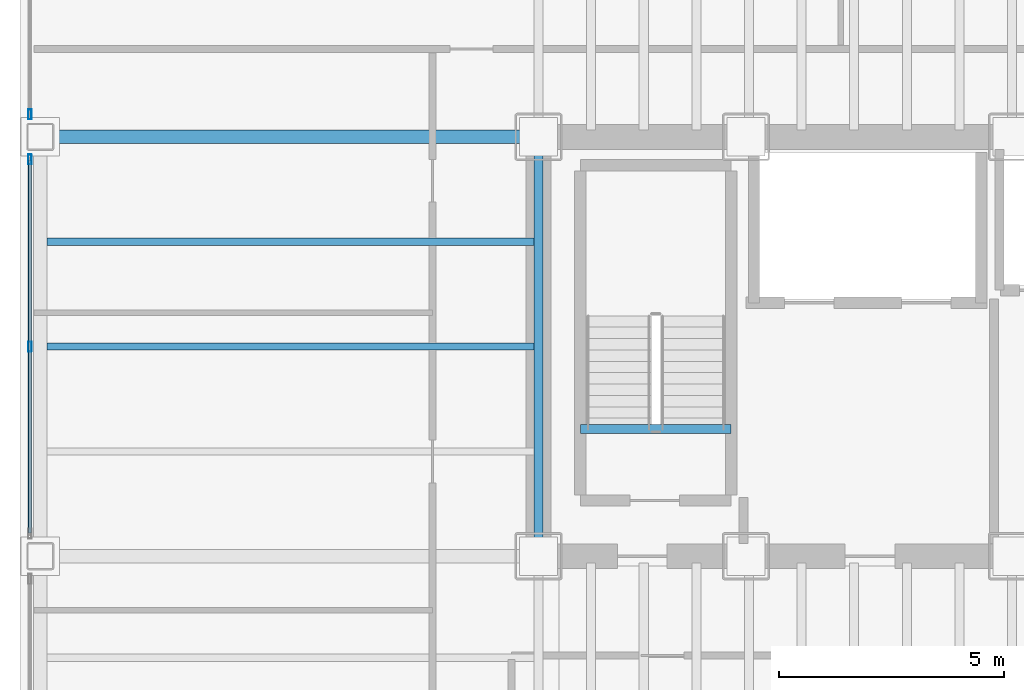
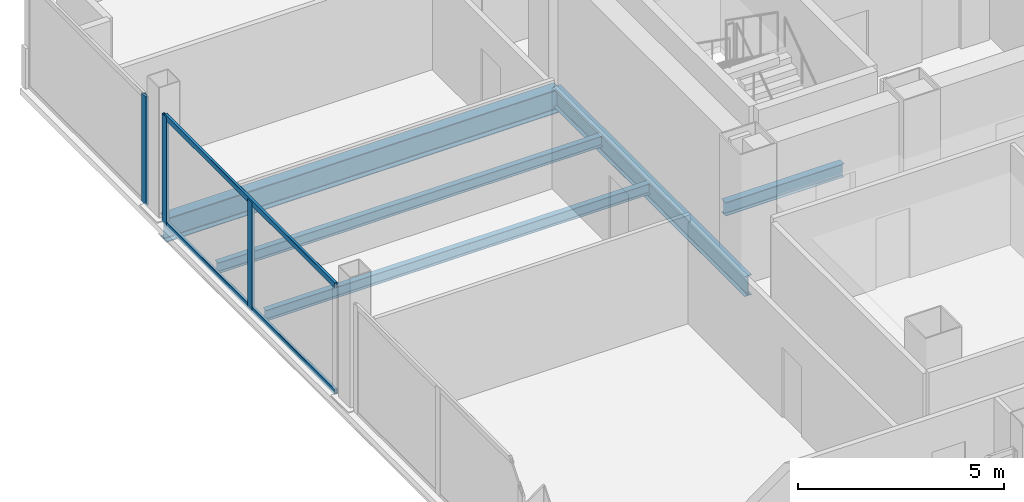
# One storey, part 6 of 21: 5 beams, 5 members, 2 elements without a shape of their own.
"""IFC4 building model written with IfcOpenShell, lengths in metres."""

from ifc_helpers import new_model, si_unit, direction, frame, origin, origin_2d, place, context, subcontext, project, spatial, hollow_rectangle, i_section, extrude, material, material_profile, profile_set, type_object, element, aggregate, save


model = new_model("IFC4")

# Units and contexts
model_context = context("Model", 3, precision=1e-05, world=origin(), true_north=direction((0.0, 1.0)))
body_context = subcontext(model_context, "Body", "Model", "MODEL_VIEW")
ifc_project = project(units=[si_unit("LENGTHUNIT", "METRE"), si_unit("AREAUNIT", "SQUARE_METRE"), si_unit("VOLUMEUNIT", "CUBIC_METRE"), si_unit("PLANEANGLEUNIT", "RADIAN"), si_unit("MASSUNIT", "GRAM", prefix="KILO")], contexts=[model_context])

# Site, building, storey
site_placement = place(None, origin())
site = spatial("IfcSite", under=ifc_project, at=site_placement, CompositionType="ELEMENT")
building_placement = place(site_placement, origin())
building = spatial("IfcBuilding", under=site, at=building_placement, Name="Noeulbin Bourse Tower", CompositionType="ELEMENT")
storey_placement = place(building_placement, frame((0.0, 0.0, 34.300048828125)))
storey = spatial("IfcBuildingStorey", under=building, at=storey_placement, Name="L08", CompositionType="ELEMENT", Elevation=34.300048828125)

# Beams
ifc_material_1 = material(Name="Steel S355", Category="steel")
ifc_material_profile_1 = material_profile(ifc_material_1, i_section(OverallWidth=0.199951171875, OverallDepth=0.60009765625, WebThickness=0.010986328125, FlangeThickness=0.01708984375, FilletRadius=0.02197265625, at=origin_2d()), Name="H-600x200x11x17", Category="LoadBearing")
ifc_profile_set_1 = profile_set([ifc_material_profile_1], Name="Steel S355")
beam_type_1 = type_object("IfcBeamType", Name="BM-GRD-600", PredefinedType="USERDEFINED", material=ifc_profile_set_1)
beam_1_placement = place(storey_placement, frame((13.5, 29.0, -0.47998046875), z_axis=(0.0, 1.0, 0.0), x_axis=(-1.0, 0.0, 0.0)))
element("IfcBeam", 1, at=beam_1_placement, inside=storey, type_object=beam_type_1, Name="Tower Primary Girder NS L08-1.3", ObjectType="GIRDER", PredefinedType="USERDEFINED", context=body_context, shape_type="SweptSolid", body=[
    extrude(i_section(OverallWidth=0.199951171875, OverallDepth=0.60009765625, WebThickness=0.010986328125, FlangeThickness=0.01708984375, FilletRadius=0.02197265625, at=origin_2d()), origin(), (0.0, 0.0, 1.0), 9.300048828125),
])
ifc_material_profile_2 = material_profile(ifc_material_1, i_section(OverallWidth=0.300048828125, OverallDepth=0.699951171875, WebThickness=0.012939453125, FlangeThickness=0.02392578125, FilletRadius=0.02392578125, at=origin_2d()), Name="H-700x300x13x24", Category="LoadBearing")
ifc_profile_set_2 = profile_set([ifc_material_profile_2], Name="Steel S355")
beam_type_2 = type_object("IfcBeamType", Name="BM-GRD-700", PredefinedType="USERDEFINED", material=ifc_profile_set_2)
beam_2_placement = place(storey_placement, frame((2.449951171875, 38.300048828125, -0.530029296875), z_axis=(1.0, 0.0, 0.0), x_axis=(0.0, 1.0, 0.0)))
element("IfcBeam", 2, at=beam_2_placement, inside=storey, type_object=beam_type_2, Name="Tower Primary Girder EW L08-3.1", ObjectType="GIRDER", PredefinedType="USERDEFINED", context=body_context, shape_type="SweptSolid", body=[
    extrude(i_section(OverallWidth=0.300048828125, OverallDepth=0.699951171875, WebThickness=0.012939453125, FlangeThickness=0.02392578125, FilletRadius=0.02392578125, at=origin_2d()), origin(), (0.0, 0.0, 1.0), 11.050048828125),
])
ifc_material_profile_3 = material_profile(ifc_material_1, i_section(OverallWidth=0.159912109375, OverallDepth=0.320068359375, WebThickness=0.006591796875, FlangeThickness=0.010009765625, FilletRadius=0.012939453125, at=origin_2d()), Name="H-320x160x6.5x10", Category="LoadBearing")
ifc_profile_set_3 = profile_set([ifc_material_profile_3], Name="Steel S355")
beam_type_3 = type_object("IfcBeamType", Name="BM-JST-320", PredefinedType="JOIST", material=ifc_profile_set_3)
for number, where, z_axis, x_axis, name in (
    (3, (2.60009765625, 33.64990234375, -0.340087890625), (1.0, 0.0, 0.0), (0.0, 1.0, 0.0), "Wing Composite Joist L08-W73"),
    (4, (2.60009765625, 35.97509765625, -0.340087890625), (1.0, 0.0, 0.0), (0.0, 1.0, 0.0), "Wing Composite Joist L08-W74"),
):
    element("IfcBeam", number, at=place(storey_placement, frame(where, z_axis=z_axis, x_axis=x_axis)), inside=storey, type_object=beam_type_3, Name=name, PredefinedType="JOIST", context=body_context, shape_type="SweptSolid", body=[
        extrude(i_section(OverallWidth=0.159912109375, OverallDepth=0.320068359375, WebThickness=0.006591796875, FlangeThickness=0.010009765625, FilletRadius=0.012939453125, at=origin_2d()), origin(), (0.0, 0.0, 1.0), 10.7998046875),
    ])
ifc_material_profile_4 = material_profile(ifc_material_1, i_section(OverallWidth=0.199951171875, OverallDepth=0.39990234375, WebThickness=0.008056640625, FlangeThickness=0.012939453125, FilletRadius=0.01611328125, at=origin_2d()), Name="H-400x200x8x13", Category="LoadBearing")
ifc_profile_set_4 = profile_set([ifc_material_profile_4], Name="Steel S355")
beam_type_4 = type_object("IfcBeamType", Name="BM-SEC-400", PredefinedType="BEAM", material=ifc_profile_set_4)
beam_3_placement = place(storey_placement, frame((14.429931640625, 31.820068359375, -0.199951171875), z_axis=(1.0, 0.0, 0.0), x_axis=(0.0, 1.0, 0.0)))
element("IfcBeam", 5, at=beam_3_placement, inside=storey, type_object=beam_type_4, Name="Stair Threshold Trimmer Beam ST1-L08", PredefinedType="BEAM", context=body_context, shape_type="SweptSolid", body=[
    extrude(i_section(OverallWidth=0.199951171875, OverallDepth=0.39990234375, WebThickness=0.008056640625, FlangeThickness=0.012939453125, FilletRadius=0.01611328125, at=origin_2d()), origin(), (0.0, 0.0, 1.0), 3.340087890625),
])

# Curtain wall, members
ifc_material_2 = material(Name="Dark Solar-Control Double Glazing", Category="glass")
curtain_wall_type = type_object("IfcCurtainWallType", Name="CW-SYS-2", PredefinedType="NOTDEFINED", material=ifc_material_2)
curtain_wall_1_placement = place(storey_placement, origin())
curtain_wall_1 = element("IfcCurtainWall", 6, at=curtain_wall_1_placement, inside=storey, type_object=curtain_wall_type, Name="Unitised Curtain Wall CW-L08-W-S3", PredefinedType="NOTDEFINED")
ifc_material_3 = material(Name="Anodised Aluminium 6063-T6", Category="aluminium")
ifc_material_profile_5 = material_profile(ifc_material_3, hollow_rectangle(XDim=0.074951171875, YDim=0.219970703125, WallThickness=0.0048828125, InnerFilletRadius=0.00244140625, OuterFilletRadius=0.0048828125, at=origin_2d()), Name="ALU-MULL-75x220x5", Category="LoadBearing")
ifc_profile_set_5 = profile_set([ifc_material_profile_5], Name="Anodised Aluminium 6063-T6")
member_type_1 = type_object("IfcMemberType", Name="CW-SYS-2-MUL", PredefinedType="MULLION", material=ifc_profile_set_5)
member_1_placement = place(storey_placement, frame((2.219970703125, 33.64990234375, -0.02001953125), z_axis=(0.0, 0.0, 1.0), x_axis=(1.0, 0.0, 0.0)))
member_1 = element("IfcMember", 7, at=member_1_placement, type_object=member_type_1, Name="Curtain Wall Mullion CW-L08-W-S3-M01", PredefinedType="MULLION", context=body_context, shape_type="SweptSolid", body=[
    extrude(hollow_rectangle(XDim=0.074951171875, YDim=0.219970703125, WallThickness=0.0048828125, InnerFilletRadius=0.00244140625, OuterFilletRadius=0.0048828125, at=origin_2d()), origin(), (0.0, 0.0, 1.0), 3.219970703125),
])
member_2_placement = place(storey_placement, frame((2.219970703125, 37.800048828125, -0.02001953125), z_axis=(0.0, 0.0, 1.0), x_axis=(1.0, 0.0, 0.0)))
member_2 = element("IfcMember", 8, at=member_2_placement, type_object=member_type_1, Name="Curtain Wall Mullion CW-L08-W-S3-M02", PredefinedType="MULLION", context=body_context, shape_type="SweptSolid", body=[
    extrude(hollow_rectangle(XDim=0.074951171875, YDim=0.219970703125, WallThickness=0.0048828125, InnerFilletRadius=0.00244140625, OuterFilletRadius=0.0048828125, at=origin_2d()), origin(), (0.0, 0.0, 1.0), 3.219970703125),
])

# Curtain wall, member
curtain_wall_2_placement = place(storey_placement, origin())
curtain_wall_2 = element("IfcCurtainWall", 9, at=curtain_wall_2_placement, inside=storey, type_object=curtain_wall_type, Name="Unitised Curtain Wall CW-L08-W-S4", PredefinedType="NOTDEFINED")
member_3_placement = place(storey_placement, frame((2.219970703125, 38.800048828125, -0.02001953125), z_axis=(0.0, 0.0, 1.0), x_axis=(1.0, 0.0, 0.0)))
member_3 = element("IfcMember", 10, at=member_3_placement, type_object=member_type_1, Name="Curtain Wall Mullion CW-L08-W-S4-M00", PredefinedType="MULLION", context=body_context, shape_type="SweptSolid", body=[
    extrude(hollow_rectangle(XDim=0.074951171875, YDim=0.219970703125, WallThickness=0.0048828125, InnerFilletRadius=0.00244140625, OuterFilletRadius=0.0048828125, at=origin_2d()), origin(), (0.0, 0.0, 1.0), 3.219970703125),
])
aggregate(curtain_wall_2, [member_3])

# Member
ifc_material_profile_6 = material_profile(ifc_material_3, hollow_rectangle(XDim=0.074951171875, YDim=0.159912109375, WallThickness=0.0048828125, InnerFilletRadius=0.00244140625, OuterFilletRadius=0.0048828125, at=origin_2d()), Name="ALU-TRAN-75x160x5", Category="LoadBearing")
ifc_profile_set_6 = profile_set([ifc_material_profile_6], Name="Anodised Aluminium 6063-T6")
member_type_2 = type_object("IfcMemberType", Name="CW-SYS-2-TRN", PredefinedType="USERDEFINED", material=ifc_profile_set_6)
member_4_placement = place(storey_placement, frame((2.219970703125, 29.510009765625, 0.010009765625), z_axis=(0.0, 1.0, 0.0), x_axis=(-1.0, 0.0, 0.0)))
member_4 = element("IfcMember", 11, at=member_4_placement, type_object=member_type_2, Name="Curtain Wall Transom CW-L08-W-S3-T00", ObjectType="TRANSOM", PredefinedType="USERDEFINED", context=body_context, shape_type="SweptSolid", body=[
    extrude(hollow_rectangle(XDim=0.074951171875, YDim=0.159912109375, WallThickness=0.0048828125, InnerFilletRadius=0.00244140625, OuterFilletRadius=0.0048828125, at=origin_2d()), origin(), (0.0, 0.0, 1.0), 8.280029296875),
])

member_5_placement = place(storey_placement, frame((2.219970703125, 29.510009765625, 3.169921875), z_axis=(0.0, 1.0, 0.0), x_axis=(-1.0, 0.0, 0.0)))
member_5 = element("IfcMember", 12, at=member_5_placement, type_object=member_type_2, Name="Curtain Wall Transom CW-L08-W-S3-T01", ObjectType="TRANSOM", PredefinedType="USERDEFINED", context=body_context, shape_type="SweptSolid", body=[
    extrude(hollow_rectangle(XDim=0.074951171875, YDim=0.159912109375, WallThickness=0.0048828125, InnerFilletRadius=0.00244140625, OuterFilletRadius=0.0048828125, at=origin_2d()), origin(), (0.0, 0.0, 1.0), 8.280029296875),
])

aggregate(curtain_wall_1, [member_1, member_2, member_4, member_5])

save(model, "model.ifc")
